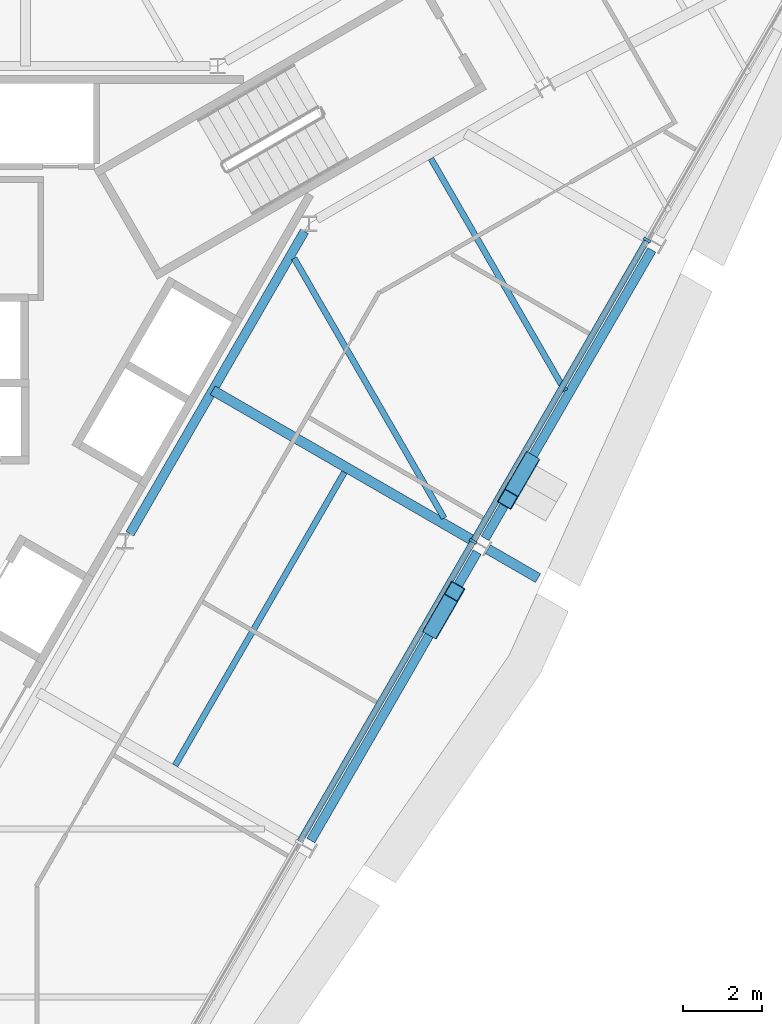
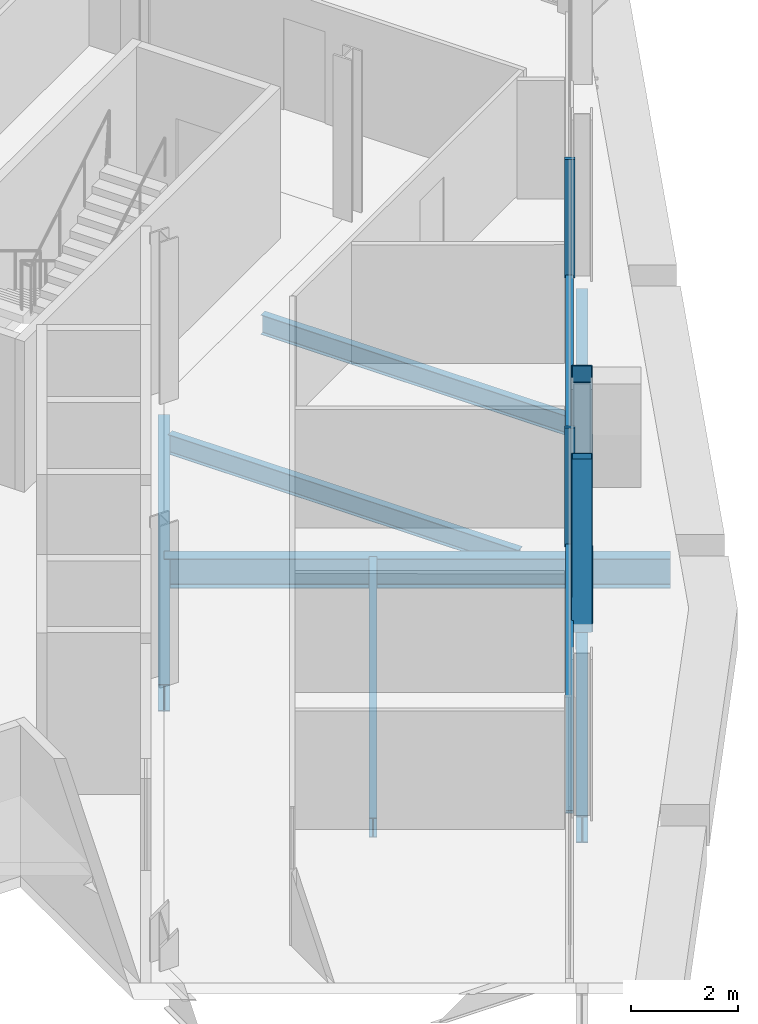
# One storey, part 5 of 14: 8 beams, 6 members, 1 element without a shape of its own.
"""IFC4 building model written with IfcOpenShell, lengths in metres."""

from ifc_helpers import new_model, si_unit, direction, frame, origin, origin_2d, place, context, subcontext, project, spatial, rectangle, hollow_rectangle, i_section, extrude, material, material_profile, profile_set, type_object, element, aggregate, save


model = new_model("IFC4")

# Units and contexts
model_context = context("Model", 3, precision=1e-05, world=origin(), true_north=direction((0.0, 1.0)))
body_context = subcontext(model_context, "Body", "Model", "MODEL_VIEW")
ifc_project = project(units=[si_unit("LENGTHUNIT", "METRE"), si_unit("AREAUNIT", "SQUARE_METRE"), si_unit("VOLUMEUNIT", "CUBIC_METRE"), si_unit("PLANEANGLEUNIT", "RADIAN"), si_unit("MASSUNIT", "GRAM", prefix="KILO")], contexts=[model_context])

# Site, building, storey
site_placement = place(None, origin())
site = spatial("IfcSite", under=ifc_project, at=site_placement, CompositionType="ELEMENT")
building_placement = place(site_placement, origin())
building = spatial("IfcBuilding", under=site, at=building_placement, Name="Verrane Prism Tower", CompositionType="ELEMENT")
storey_placement = place(building_placement, frame((0.0, 0.0, 224.89990234375)))
storey = spatial("IfcBuildingStorey", under=building, at=storey_placement, Name="L56", CompositionType="ELEMENT", Elevation=224.89990234375)

# Beam
ifc_material_1 = material(Name="Steel A992", Category="steel")
ifc_material_profile_1 = material_profile(ifc_material_1, i_section(OverallWidth=0.23046875, OverallDepth=0.6171875, WebThickness=0.01318359375, FlangeThickness=0.022216796875, FilletRadius=0.012939453125, at=origin_2d()), Name="W24x94")
ifc_profile_set_1 = profile_set([ifc_material_profile_1], Name="Steel A992")
beam_type_1 = type_object("IfcBeamType", Name="Core ring girder W24x94", PredefinedType="BEAM", material=ifc_profile_set_1)
beam_1_placement = place(storey_placement, frame((7.04150390625, -3.806884765625, -0.55859375), z_axis=(0.499967007444, 0.866044451208, 0.0), x_axis=(-0.866044451208, 0.499967007444, 0.0)))
element("IfcBeam", 1, at=beam_1_placement, inside=storey, type_object=beam_type_1, Name="Core ring girder L56", PredefinedType="BEAM", context=body_context, shape_type="SweptSolid", body=[
    extrude(i_section(OverallWidth=0.23046875, OverallDepth=0.6171875, WebThickness=0.01318359375, FlangeThickness=0.022216796875, FilletRadius=0.012939453125, at=origin_2d()), origin(), (0.0, 0.0, 1.0), 8.814453125),
])

# Members
ifc_material_2 = material(Name="Steel A500 Grade C", Category="steel")
ifc_material_profile_2 = material_profile(ifc_material_2, hollow_rectangle(XDim=0.406494140625, YDim=0.406494140625, WallThickness=0.01904296875, InnerFilletRadius=0.009521484375, OuterFilletRadius=0.028564453125, at=origin_2d()), Name="HSS16x16x3/4")
ifc_profile_set_2 = profile_set([ifc_material_profile_2], Name="Steel A500 Grade C")
member_type_1 = type_object("IfcMemberType", Name="Facade brace HSS16x16x3/4", PredefinedType="BRACE", material=ifc_profile_set_2)
member_1_placement = place(storey_placement, frame((14.69580078125, -6.205810546875, -0.216552734375), z_axis=(0.160769656283, 0.27894222415, 0.946754642558), x_axis=(-0.866398669086, 0.499352927503, 0.0)))
element("IfcMember", 2, at=member_1_placement, inside=storey, type_object=member_type_1, Name="Facade brace SE2 L56", PredefinedType="BRACE", context=body_context, shape_type="SweptSolid", body=[
    extrude(hollow_rectangle(XDim=0.406494140625, YDim=0.406494140625, WallThickness=0.01904296875, InnerFilletRadius=0.009521484375, OuterFilletRadius=0.028564453125, at=origin_2d()), origin(), (0.0, 0.0, 1.0), 3.375732421875),
])
member_2_placement = place(storey_placement, frame((17.127197265625, -1.994140625, -0.216552734375), z_axis=(-0.161192322573, -0.278922740316, 0.9466885127), x_axis=(0.865815369445, -0.500363613817, 0.0)))
element("IfcMember", 3, at=member_2_placement, inside=storey, type_object=member_type_1, Name="Facade brace SE3 L56", PredefinedType="BRACE", context=body_context, shape_type="SweptSolid", body=[
    extrude(hollow_rectangle(XDim=0.406494140625, YDim=0.406494140625, WallThickness=0.01904296875, InnerFilletRadius=0.009521484375, OuterFilletRadius=0.028564453125, at=origin_2d()), origin(), (0.0, 0.0, 1.0), 3.3759765625),
])

# Beams
ifc_material_3 = material(Name="Steel A992", Category="steel")
ifc_material_profile_3 = material_profile(ifc_material_3, i_section(OverallWidth=0.15234375, OverallDepth=0.449462890625, WebThickness=0.007568359375, FlangeThickness=0.0107421875, FilletRadius=0.01025390625, at=origin_2d()), Name="W18x35")
ifc_profile_set_3 = profile_set([ifc_material_profile_3], Name="Steel A992")
beam_type_2 = type_object("IfcBeamType", Name="Floor beam W18x35", PredefinedType="BEAM", material=ifc_profile_set_3)
beam_2_placement = place(storey_placement, frame((8.18359375, -9.659912109375, -0.384765625), z_axis=(0.500005905661, 0.866021994122, 0.0), x_axis=(-0.866021994122, 0.500005905661, 0.0)))
element("IfcBeam", 4, at=beam_2_placement, inside=storey, type_object=beam_type_2, Name="Floor beam L56", PredefinedType="BEAM", context=body_context, shape_type="SweptSolid", body=[
    extrude(i_section(OverallWidth=0.15234375, OverallDepth=0.449462890625, WebThickness=0.007568359375, FlangeThickness=0.0107421875, FilletRadius=0.01025390625, at=origin_2d()), origin(), (0.0, 0.0, 1.0), 8.54931640625),
])
beam_3_placement = place(storey_placement, frame((18.029541015625, -0.203125, -0.384765625), z_axis=(-0.500004319728, 0.866022909774, 0.0), x_axis=(-0.866022909774, -0.500004319728, 0.0)))
element("IfcBeam", 5, at=beam_3_placement, inside=storey, type_object=beam_type_2, Name="Floor beam L56", PredefinedType="BEAM", context=body_context, shape_type="SweptSolid", body=[
    extrude(i_section(OverallWidth=0.15234375, OverallDepth=0.449462890625, WebThickness=0.007568359375, FlangeThickness=0.0107421875, FilletRadius=0.01025390625, at=origin_2d()), origin(), (0.0, 0.0, 1.0), 6.77294921875),
])
beam_4_placement = place(storey_placement, frame((14.9755859375, -3.414306640625, -0.384765625), z_axis=(-0.500014461485, 0.866017054281, 0.0), x_axis=(-0.866017054281, -0.500014461485, 0.0)))
element("IfcBeam", 6, at=beam_4_placement, inside=storey, type_object=beam_type_2, Name="Floor beam L56", PredefinedType="BEAM", context=body_context, shape_type="SweptSolid", body=[
    extrude(i_section(OverallWidth=0.15234375, OverallDepth=0.449462890625, WebThickness=0.007568359375, FlangeThickness=0.0107421875, FilletRadius=0.01025390625, at=origin_2d()), origin(), (0.0, 0.0, 1.0), 7.574951171875),
])

# Curtain wall, members
ifc_material_4 = material(Name="Aluminium framed insulated glazing", Category="aluminium")
curtain_wall_type = type_object("IfcCurtainWallType", Name="Curtain wall CW-A 8400 module", PredefinedType="NOTDEFINED", material=ifc_material_4)
curtain_wall_placement = place(storey_placement, origin())
curtain_wall = element("IfcCurtainWall", 7, at=curtain_wall_placement, inside=storey, type_object=curtain_wall_type, Name="Glazed curtain wall south-east face L56", PredefinedType="NOTDEFINED")
ifc_material_5 = material(Name="Aluminium alloy 6063-T6", Category="aluminium")
ifc_material_profile_4 = material_profile(ifc_material_5, rectangle(XDim=0.199951171875, YDim=0.070068359375, at=origin_2d()), Name="Mullion 70x200 aluminium")
ifc_profile_set_4 = profile_set([ifc_material_profile_4], Name="Aluminium alloy 6063-T6")
member_type_2 = type_object("IfcMemberType", Name="Mullion 70x200 aluminium", PredefinedType="MULLION", material=ifc_profile_set_4)
member_3_placement = place(storey_placement, frame((15.70703125, -3.998046875, 0.0), z_axis=(0.0, 0.0, 1.0), x_axis=(-0.866024862365, 0.500000937764, 0.0)))
member_3 = element("IfcMember", 8, at=member_3_placement, type_object=member_type_2, Name="CW54.6 mullion 4", PredefinedType="MULLION", context=body_context, shape_type="SweptSolid", body=[
    extrude(rectangle(XDim=0.199951171875, YDim=0.070068359375, at=origin_2d()), origin(), (0.0, 0.0, 1.0), 2.712890625),
])
member_4_placement = place(storey_placement, frame((20.09814453125, 3.607421875, 0.0), z_axis=(0.0, 0.0, 1.0), x_axis=(-0.866024862365, 0.500000937764, 0.0)))
member_4 = element("IfcMember", 9, at=member_4_placement, type_object=member_type_2, Name="CW54.6 mullion 5", PredefinedType="MULLION", context=body_context, shape_type="SweptSolid", body=[
    extrude(rectangle(XDim=0.199951171875, YDim=0.070068359375, at=origin_2d()), origin(), (0.0, 0.0, 1.0), 2.712890625),
])

# Beams
ifc_material_6 = material(Name="Steel A992", Category="steel")
ifc_material_profile_5 = material_profile(ifc_material_6, i_section(OverallWidth=0.25390625, OverallDepth=0.683349609375, WebThickness=0.012451171875, FlangeThickness=0.01904296875, FilletRadius=0.01513671875, at=origin_2d()), Name="W27x94")
ifc_profile_set_5 = profile_set([ifc_material_profile_5], Name="Steel A992")
beam_type_3 = type_object("IfcBeamType", Name="Radial girder W27x94", PredefinedType="BEAM", material=ifc_profile_set_5)
beam_5_placement = place(storey_placement, frame((15.7373046875, -4.000244140625, -0.5615234375), z_axis=(-0.86603047963, 0.499991208275, 0.0), x_axis=(-0.499991208275, -0.86603047963, 0.0)))
element("IfcBeam", 10, at=beam_5_placement, inside=storey, type_object=beam_type_3, Name="Radial girder L56", PredefinedType="BEAM", context=body_context, shape_type="SweptSolid", body=[
    extrude(i_section(OverallWidth=0.25390625, OverallDepth=0.683349609375, WebThickness=0.012451171875, FlangeThickness=0.01904296875, FilletRadius=0.01513671875, at=origin_2d()), origin(), (0.0, 0.0, 1.0), 7.627685546875),
])
beam_6_placement = place(storey_placement, frame((16.0791015625, -4.19775390625, -0.5615234375), z_axis=(0.86607715515, -0.499910353291, 0.0), x_axis=(0.499910353291, 0.86607715515, 0.0)))
element("IfcBeam", 11, at=beam_6_placement, inside=storey, type_object=beam_type_3, Name="Cantilever girder L56", PredefinedType="BEAM", context=body_context, shape_type="SweptSolid", body=[
    extrude(i_section(OverallWidth=0.25390625, OverallDepth=0.683349609375, WebThickness=0.012451171875, FlangeThickness=0.01904296875, FilletRadius=0.01513671875, at=origin_2d()), origin(), (0.0, 0.0, 1.0), 1.462158203125),
])
ifc_material_7 = material(Name="Steel A992", Category="steel")
ifc_material_profile_6 = material_profile(ifc_material_7, i_section(OverallWidth=0.23046875, OverallDepth=0.6171875, WebThickness=0.01318359375, FlangeThickness=0.022216796875, FilletRadius=0.012939453125, at=origin_2d()), Name="W24x94")
ifc_profile_set_6 = profile_set([ifc_material_profile_6], Name="Steel A992")
beam_type_4 = type_object("IfcBeamType", Name="Spandrel beam W24x94", PredefinedType="SPANDREL", material=ifc_profile_set_6)
beam_7_placement = place(storey_placement, frame((11.610107421875, -11.55615234375, -0.468505859375), z_axis=(0.499569084189, 0.866274050242, 0.0), x_axis=(-0.866274050242, 0.499569084189, 0.0)))
element("IfcBeam", 12, at=beam_7_placement, inside=storey, type_object=beam_type_4, Name="Spandrel beam L56", PredefinedType="SPANDREL", context=body_context, shape_type="SweptSolid", body=[
    extrude(i_section(OverallWidth=0.23046875, OverallDepth=0.6171875, WebThickness=0.01318359375, FlangeThickness=0.022216796875, FilletRadius=0.012939453125, at=origin_2d()), origin(), (0.0, 0.0, 1.0), 8.40673828125),
])
beam_8_placement = place(storey_placement, frame((16.010498046875, -3.92626953125, -0.468505859375), z_axis=(0.500396552915, 0.865796332766, 0.0), x_axis=(-0.865796332766, 0.500396552915, 0.0)))
element("IfcBeam", 13, at=beam_8_placement, inside=storey, type_object=beam_type_4, Name="Spandrel beam L56", PredefinedType="SPANDREL", context=body_context, shape_type="SweptSolid", body=[
    extrude(i_section(OverallWidth=0.23046875, OverallDepth=0.6171875, WebThickness=0.01318359375, FlangeThickness=0.022216796875, FilletRadius=0.012939453125, at=origin_2d()), origin(), (0.0, 0.0, 1.0), 8.411376953125),
])

# Member
ifc_material_8 = material(Name="Aluminium alloy 6063-T6", Category="aluminium")
ifc_material_profile_7 = material_profile(ifc_material_8, rectangle(XDim=0.14990234375, YDim=0.070068359375, at=origin_2d()), Name="Transom 70x150 aluminium")
ifc_profile_set_7 = profile_set([ifc_material_profile_7], Name="Aluminium alloy 6063-T6")
member_type_3 = type_object("IfcMemberType", Name="Transom 70x150 aluminium", PredefinedType="USERDEFINED", material=ifc_profile_set_7)
member_5_placement = place(storey_placement, frame((11.33349609375, -11.5732421875, 0.03515625), z_axis=(0.500024057273, 0.866011513866, 0.0), x_axis=(-0.866011513866, 0.500024057273, 0.0)))
member_5 = element("IfcMember", 14, at=member_5_placement, type_object=member_type_3, Name="CW54.6 transom 3", ObjectType="TRANSOM", PredefinedType="USERDEFINED", context=body_context, shape_type="SweptSolid", body=[
    extrude(rectangle(XDim=0.14990234375, YDim=0.070068359375, at=origin_2d()), origin(), (0.0, 0.0, 1.0), 8.7119140625),
])

member_6_placement = place(storey_placement, frame((15.724609375, -3.9677734375, 0.03515625), z_axis=(0.499990905326, 0.866030654533, 0.0), x_axis=(-0.866030654533, 0.499990905326, 0.0)))
member_6 = element("IfcMember", 15, at=member_6_placement, type_object=member_type_3, Name="CW54.6 transom 4", ObjectType="TRANSOM", PredefinedType="USERDEFINED", context=body_context, shape_type="SweptSolid", body=[
    extrude(rectangle(XDim=0.14990234375, YDim=0.070068359375, at=origin_2d()), origin(), (0.0, 0.0, 1.0), 8.712158203125),
])

aggregate(curtain_wall, [member_3, member_4, member_5, member_6])

save(model, "model.ifc")
